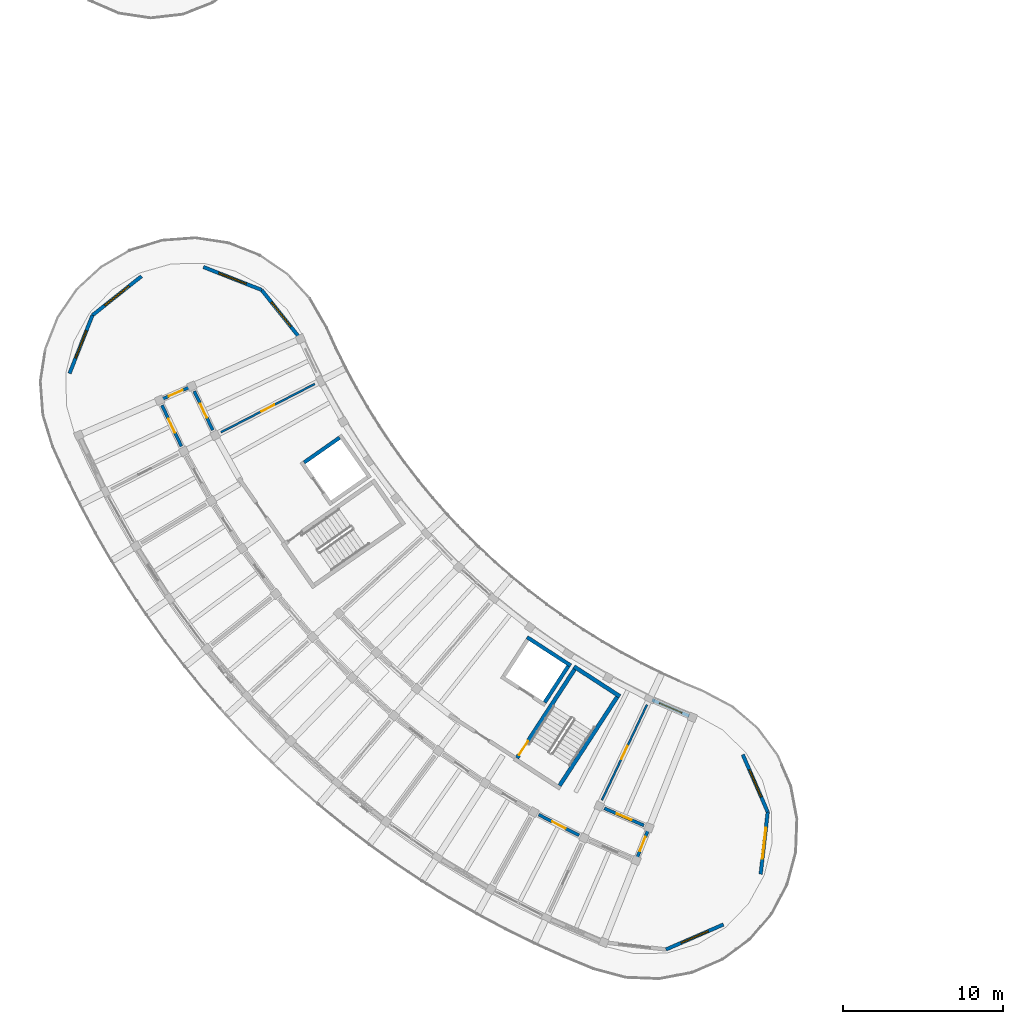
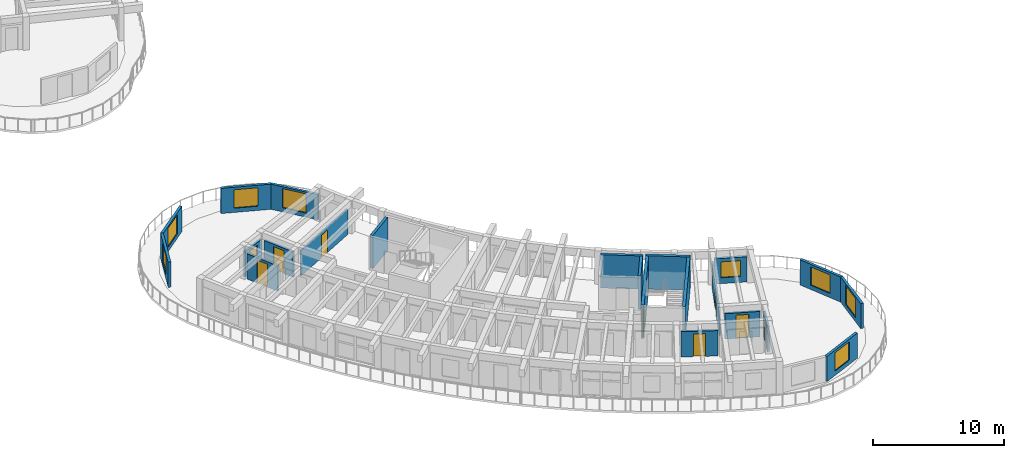
# One storey, part 35 of 62: 22 walls, 9 doors, 8 windows, 17 openings.
"""IFC4 building model written with IfcOpenShell, lengths in metres."""

from ifc_helpers import new_model, si_unit, direction, frame, frame_2d, origin, place, context, subcontext, project, spatial, rectangle, extrude, material, layer, layer_set, type_object, element, fill, save


model = new_model("IFC4")

# Units and contexts
model_context = context("Model", 3, precision=1e-05, world=origin(), true_north=direction((0.0, 1.0)))
body_context = subcontext(model_context, "Body", "Model", "MODEL_VIEW")
ifc_project = project(units=[si_unit("LENGTHUNIT", "METRE"), si_unit("AREAUNIT", "SQUARE_METRE"), si_unit("VOLUMEUNIT", "CUBIC_METRE"), si_unit("PLANEANGLEUNIT", "RADIAN"), si_unit("MASSUNIT", "GRAM", prefix="KILO")], contexts=[model_context])

# Site, building, storey
site_placement = place(None, origin())
site = spatial("IfcSite", under=ifc_project, at=site_placement, CompositionType="ELEMENT")
building_placement = place(site_placement, origin())
building = spatial("IfcBuilding", under=site, at=building_placement, Name="Tanwirah Colonnade Gardens", CompositionType="ELEMENT")
storey_placement = place(building_placement, frame((0.0, 0.0, 32.360107421875)))
storey = spatial("IfcBuildingStorey", under=building, at=storey_placement, Name="L09", CompositionType="ELEMENT", Elevation=32.360107421875)

# Wall, opening, window
ifc_material_1 = material(Name="Limestone architectural precast concrete C40/50", Category="masonry")
ifc_layer_1 = layer(ifc_material_1, 0.219970703125)
ifc_layer_set_1 = layer_set([ifc_layer_1], Name="Limestone architectural precast concrete C40/50")
wall_type_1 = type_object("IfcWallType", Name="EW-PC220", PredefinedType="SOLIDWALL", material=ifc_layer_set_1)
wall_1_placement = place(storey_placement, frame((46.1904296875, 24.2314453125, 0.0), z_axis=(0.0, 0.0, 1.0), x_axis=(0.917932416464, -0.396736787813, 0.0)))
wall_1 = element("IfcWall", 1, at=wall_1_placement, inside=storey, type_object=wall_type_1, Name="Block C L09 IN Precast Facade Wall 13", PredefinedType="SOLIDWALL", context=body_context, shape_type="SweptSolid", body=[
    extrude(rectangle(XDim=2.518798828125, YDim=0.219970703125, at=frame_2d((1.25927734375, 0.0))), origin(), (0.0, 0.0, 1.0), 2.35498046875),
])
opening_1_placement = place(wall_1_placement, frame((0.49951171875, 0.0, 0.550048828125)))
opening_1 = element("IfcOpeningElement", 2, at=opening_1_placement, cuts=wall_1, Name="Opening WIN-U10", PredefinedType="OPENING", context=body_context, shape_type="SweptSolid", body=[
    extrude(rectangle(XDim=1.52001953125, YDim=1.485107421875, at=frame_2d((0.760009765625, 0.74267578125))), frame((0.0, 0.119873046875, 0.0), z_axis=(0.0, -1.0, 0.0), x_axis=(1.0, 0.0, 0.0)), (0.0, 0.0, 1.0), 0.239990234375),
])
ifc_material_2 = material(Name="Thermally broken bronze aluminium and solar low-E double glazing", Category="aluminium")
window_type_1 = type_object("IfcWindowType", Name="WIN-U10", PartitioningType="DOUBLE_PANEL_VERTICAL", PredefinedType="WINDOW", material=ifc_material_2)
window_1_placement = place(opening_1_placement, origin())
window_1 = element("IfcWindow", 3, at=window_1_placement, inside=storey, type_object=window_type_1, Name="Facade window C-L09-IN-13", OverallHeight=1.485107421875, OverallWidth=1.52001953125, PartitioningType="SINGLE_PANEL", PredefinedType="WINDOW", context=body_context, shape_type="SweptSolid", body=[
    extrude(rectangle(XDim=1.52001953125, YDim=1.485107421875, at=frame_2d((0.760009765625, 0.74267578125))), frame((0.0, 0.030029296875, 0.0), z_axis=(0.0, -1.0, 0.0), x_axis=(1.0, 0.0, 0.0)), (0.0, 0.0, 1.0), 0.06005859375),
])
fill(opening_1, window_1)

wall_2_placement = place(storey_placement, frame((9.8115234375, 44.61962890625, 0.0), z_axis=(0.0, 0.0, 1.0), x_axis=(0.366452412926, 0.930436794769, 0.0)))
wall_2 = element("IfcWall", 4, at=wall_2_placement, inside=storey, type_object=wall_type_1, Name="Block C L09 START Rounded End Wall 1", PredefinedType="SOLIDWALL", context=body_context, shape_type="SweptSolid", body=[
    extrude(rectangle(XDim=3.908203125, YDim=0.219970703125, at=frame_2d((1.9541015625, 0.0))), origin(), (0.0, 0.0, 1.0), 2.35498046875),
])
opening_2_placement = place(wall_2_placement, frame((1.029052734375, 0.0, 0.39990234375)))
opening_2 = element("IfcOpeningElement", 5, at=opening_2_placement, cuts=wall_2, Name="Opening WIN-END1", PredefinedType="OPENING", context=body_context, shape_type="SweptSolid", body=[
    extrude(rectangle(XDim=1.85009765625, YDim=1.719970703125, at=frame_2d((0.925048828125, 0.85986328125))), frame((0.0, 0.119873046875, 0.0), z_axis=(0.0, -1.0, 0.0), x_axis=(1.0, 0.0, 0.0)), (0.0, 0.0, 1.0), 0.239990234375),
])
window_type_2 = type_object("IfcWindowType", Name="WIN-END1", PartitioningType="TRIPLE_PANEL_VERTICAL", PredefinedType="WINDOW", material=ifc_material_2)
window_2_placement = place(opening_2_placement, origin())
window_2 = element("IfcWindow", 6, at=window_2_placement, inside=storey, type_object=window_type_2, Name="Rounded corner window C-L09-START-1", OverallHeight=1.719970703125, OverallWidth=1.85009765625, PartitioningType="SINGLE_PANEL", PredefinedType="WINDOW", context=body_context, shape_type="SweptSolid", body=[
    extrude(rectangle(XDim=1.85009765625, YDim=1.719970703125, at=frame_2d((0.925048828125, 0.85986328125))), frame((0.0, 0.030029296875, 0.0), z_axis=(0.0, -1.0, 0.0), x_axis=(1.0, 0.0, 0.0)), (0.0, 0.0, 1.0), 0.06005859375),
])
fill(opening_2, window_2)

wall_3_placement = place(storey_placement, frame((11.24365234375, 48.255859375, 0.0), z_axis=(0.0, 0.0, 1.0), x_axis=(0.782584454044, 0.622544433988, 0.0)))
wall_3 = element("IfcWall", 7, at=wall_3_placement, inside=storey, type_object=wall_type_1, Name="Block C L09 START Rounded End Wall 2", PredefinedType="SOLIDWALL", context=body_context, shape_type="SweptSolid", body=[
    extrude(rectangle(XDim=3.908203125, YDim=0.219970703125, at=frame_2d((1.9541015625, 0.0))), origin(), (0.0, 0.0, 1.0), 2.35498046875),
])
opening_3_placement = place(wall_3_placement, frame((0.97900390625, 0.0, 0.39990234375)))
opening_3 = element("IfcOpeningElement", 8, at=opening_3_placement, cuts=wall_3, Name="Opening WIN-END2", PredefinedType="OPENING", context=body_context, shape_type="SweptSolid", body=[
    extrude(rectangle(XDim=1.949951171875, YDim=1.780029296875, at=frame_2d((0.97509765625, 0.89013671875))), frame((0.0, 0.119873046875, 0.0), z_axis=(0.0, -1.0, 0.0), x_axis=(1.0, 0.0, 0.0)), (0.0, 0.0, 1.0), 0.239990234375),
])
window_type_3 = type_object("IfcWindowType", Name="WIN-END2", PartitioningType="TRIPLE_PANEL_VERTICAL", PredefinedType="WINDOW", material=ifc_material_2)
window_3_placement = place(opening_3_placement, origin())
window_3 = element("IfcWindow", 9, at=window_3_placement, inside=storey, type_object=window_type_3, Name="Rounded corner window C-L09-START-2", OverallHeight=1.780029296875, OverallWidth=1.949951171875, PartitioningType="SINGLE_PANEL", PredefinedType="WINDOW", context=body_context, shape_type="SweptSolid", body=[
    extrude(rectangle(XDim=1.949951171875, YDim=1.780029296875, at=frame_2d((0.97509765625, 0.89013671875))), frame((0.0, 0.030029296875, 0.0), z_axis=(0.0, -1.0, 0.0), x_axis=(1.0, 0.0, 0.0)), (0.0, 0.0, 1.0), 0.06005859375),
])
fill(opening_3, window_3)

wall_4_placement = place(storey_placement, frame((18.16748046875, 51.2666015625, 0.0), z_axis=(0.0, 0.0, 1.0), x_axis=(0.930415493666, -0.366506492637, 0.0)))
wall_4 = element("IfcWall", 10, at=wall_4_placement, inside=storey, type_object=wall_type_1, Name="Block C L09 START Rounded End Wall 4", PredefinedType="SOLIDWALL", context=body_context, shape_type="SweptSolid", body=[
    extrude(rectangle(XDim=3.908203125, YDim=0.219970703125, at=frame_2d((1.9541015625, 0.0))), origin(), (0.0, 0.0, 1.0), 2.35498046875),
])
opening_4_placement = place(wall_4_placement, frame((1.029052734375, 0.0, 0.39990234375)))
opening_4 = element("IfcOpeningElement", 11, at=opening_4_placement, cuts=wall_4, Name="Opening WIN-END1", PredefinedType="OPENING", context=body_context, shape_type="SweptSolid", body=[
    extrude(rectangle(XDim=1.85009765625, YDim=1.719970703125, at=frame_2d((0.925048828125, 0.85986328125))), frame((0.0, 0.119873046875, 0.0), z_axis=(0.0, -1.0, 0.0), x_axis=(1.0, 0.0, 0.0)), (0.0, 0.0, 1.0), 0.239990234375),
])
window_4_placement = place(opening_4_placement, origin())
window_4 = element("IfcWindow", 12, at=window_4_placement, inside=storey, type_object=window_type_2, Name="Rounded corner window C-L09-START-4", OverallHeight=1.719970703125, OverallWidth=1.85009765625, PartitioningType="SINGLE_PANEL", PredefinedType="WINDOW", context=body_context, shape_type="SweptSolid", body=[
    extrude(rectangle(XDim=1.85009765625, YDim=1.719970703125, at=frame_2d((0.925048828125, 0.85986328125))), frame((0.0, 0.030029296875, 0.0), z_axis=(0.0, -1.0, 0.0), x_axis=(1.0, 0.0, 0.0)), (0.0, 0.0, 1.0), 0.06005859375),
])
fill(opening_4, window_4)

wall_5_placement = place(storey_placement, frame((21.8037109375, 49.834228515625, 0.0), z_axis=(0.0, 0.0, 1.0), x_axis=(0.622506174669, -0.782614887732, 0.0)))
wall_5 = element("IfcWall", 13, at=wall_5_placement, inside=storey, type_object=wall_type_1, Name="Block C L09 START Rounded End Wall 5", PredefinedType="SOLIDWALL", context=body_context, shape_type="SweptSolid", body=[
    extrude(rectangle(XDim=3.908203125, YDim=0.219970703125, at=frame_2d((1.9541015625, 0.0))), origin(), (0.0, 0.0, 1.0), 2.35498046875),
])
opening_5_placement = place(wall_5_placement, frame((0.97900390625, 0.0, 0.39990234375)))
opening_5 = element("IfcOpeningElement", 14, at=opening_5_placement, cuts=wall_5, Name="Opening WIN-END2", PredefinedType="OPENING", context=body_context, shape_type="SweptSolid", body=[
    extrude(rectangle(XDim=1.949951171875, YDim=1.780029296875, at=frame_2d((0.97509765625, 0.89013671875))), frame((0.0, 0.119873046875, 0.0), z_axis=(0.0, -1.0, 0.0), x_axis=(1.0, 0.0, 0.0)), (0.0, 0.0, 1.0), 0.239990234375),
])
window_5_placement = place(opening_5_placement, origin())
window_5 = element("IfcWindow", 15, at=window_5_placement, inside=storey, type_object=window_type_3, Name="Rounded corner window C-L09-START-5", OverallHeight=1.780029296875, OverallWidth=1.949951171875, PartitioningType="SINGLE_PANEL", PredefinedType="WINDOW", context=body_context, shape_type="SweptSolid", body=[
    extrude(rectangle(XDim=1.949951171875, YDim=1.780029296875, at=frame_2d((0.97509765625, 0.89013671875))), frame((0.0, 0.030029296875, 0.0), z_axis=(0.0, -1.0, 0.0), x_axis=(1.0, 0.0, 0.0)), (0.0, 0.0, 1.0), 0.06005859375),
])
fill(opening_5, window_5)

wall_6_placement = place(storey_placement, frame((51.8505859375, 20.818359375, 0.0), z_axis=(0.0, 0.0, 1.0), x_axis=(0.398723827264, -0.917071049359, 0.0)))
wall_6 = element("IfcWall", 16, at=wall_6_placement, inside=storey, type_object=wall_type_1, Name="Block C L09 END Rounded End Wall 1", PredefinedType="SOLIDWALL", context=body_context, shape_type="SweptSolid", body=[
    extrude(rectangle(XDim=3.908447265625, YDim=0.219970703125, at=frame_2d((1.9541015625, 0.0))), origin(), (0.0, 0.0, 1.0), 2.35498046875),
])
opening_6_placement = place(wall_6_placement, frame((1.029052734375, 0.0, 0.39990234375)))
opening_6 = element("IfcOpeningElement", 17, at=opening_6_placement, cuts=wall_6, Name="Opening WIN-END1", PredefinedType="OPENING", context=body_context, shape_type="SweptSolid", body=[
    extrude(rectangle(XDim=1.85009765625, YDim=1.719970703125, at=frame_2d((0.925048828125, 0.85986328125))), frame((0.0, 0.119873046875, 0.0), z_axis=(0.0, -1.0, 0.0), x_axis=(1.0, 0.0, 0.0)), (0.0, 0.0, 1.0), 0.239990234375),
])
window_6_placement = place(opening_6_placement, origin())
window_6 = element("IfcWindow", 18, at=window_6_placement, inside=storey, type_object=window_type_2, Name="Rounded corner window C-L09-END-1", OverallHeight=1.719970703125, OverallWidth=1.85009765625, PartitioningType="SINGLE_PANEL", PredefinedType="WINDOW", context=body_context, shape_type="SweptSolid", body=[
    extrude(rectangle(XDim=1.85009765625, YDim=1.719970703125, at=frame_2d((0.925048828125, 0.85986328125))), frame((0.0, 0.030029296875, 0.0), z_axis=(0.0, -1.0, 0.0), x_axis=(1.0, 0.0, 0.0)), (0.0, 0.0, 1.0), 0.06005859375),
])
fill(opening_6, window_6)

wall_7_placement = place(storey_placement, frame((53.408935546875, 17.234130859375, 0.0), z_axis=(0.0, 0.0, 1.0), x_axis=(-0.113201245525, -0.993572079928, 0.0)))
wall_7 = element("IfcWall", 19, at=wall_7_placement, inside=storey, type_object=wall_type_1, Name="Block C L09 END Rounded End Wall 2", PredefinedType="SOLIDWALL", context=body_context, shape_type="SweptSolid", body=[
    extrude(rectangle(XDim=3.907958984375, YDim=0.219970703125, at=frame_2d((1.9541015625, 0.0))), origin(), (0.0, 0.0, 1.0), 2.35498046875),
])
opening_7_placement = place(wall_7_placement, frame((0.97900390625, 0.0, 0.39990234375)))
opening_7 = element("IfcOpeningElement", 20, at=opening_7_placement, cuts=wall_7, Name="Opening WIN-END2", PredefinedType="OPENING", context=body_context, shape_type="SweptSolid", body=[
    extrude(rectangle(XDim=1.949951171875, YDim=1.780029296875, at=frame_2d((0.97509765625, 0.89013671875))), frame((0.0, 0.119873046875, 0.0), z_axis=(0.0, -1.0, 0.0), x_axis=(1.0, 0.0, 0.0)), (0.0, 0.0, 1.0), 0.239990234375),
])
window_7_placement = place(opening_7_placement, origin())
window_7 = element("IfcWindow", 21, at=window_7_placement, inside=storey, type_object=window_type_3, Name="Rounded corner window C-L09-END-2", OverallHeight=1.780029296875, OverallWidth=1.949951171875, PartitioningType="SINGLE_PANEL", PredefinedType="WINDOW", context=body_context, shape_type="SweptSolid", body=[
    extrude(rectangle(XDim=1.949951171875, YDim=1.780029296875, at=frame_2d((0.97509765625, 0.89013671875))), frame((0.0, 0.030029296875, 0.0), z_axis=(0.0, -1.0, 0.0), x_axis=(1.0, 0.0, 0.0)), (0.0, 0.0, 1.0), 0.06005859375),
])
fill(opening_7, window_7)

wall_8_placement = place(storey_placement, frame((50.641845703125, 10.20947265625, 0.0), z_axis=(0.0, 0.0, 1.0), x_axis=(-0.917061117534, -0.398746669838, 0.0)))
wall_8 = element("IfcWall", 22, at=wall_8_placement, inside=storey, type_object=wall_type_1, Name="Block C L09 END Rounded End Wall 4", PredefinedType="SOLIDWALL", context=body_context, shape_type="SweptSolid", body=[
    extrude(rectangle(XDim=3.908203125, YDim=0.219970703125, at=frame_2d((1.9541015625, 0.0))), origin(), (0.0, 0.0, 1.0), 2.35498046875),
])
opening_8_placement = place(wall_8_placement, frame((1.029052734375, 0.0, 0.39990234375)))
opening_8 = element("IfcOpeningElement", 23, at=opening_8_placement, cuts=wall_8, Name="Opening WIN-END1", PredefinedType="OPENING", context=body_context, shape_type="SweptSolid", body=[
    extrude(rectangle(XDim=1.85009765625, YDim=1.719970703125, at=frame_2d((0.925048828125, 0.85986328125))), frame((0.0, 0.119873046875, 0.0), z_axis=(0.0, -1.0, 0.0), x_axis=(1.0, 0.0, 0.0)), (0.0, 0.0, 1.0), 0.239990234375),
])
window_8_placement = place(opening_8_placement, origin())
window_8 = element("IfcWindow", 24, at=window_8_placement, inside=storey, type_object=window_type_2, Name="Rounded corner window C-L09-END-4", OverallHeight=1.719970703125, OverallWidth=1.85009765625, PartitioningType="SINGLE_PANEL", PredefinedType="WINDOW", context=body_context, shape_type="SweptSolid", body=[
    extrude(rectangle(XDim=1.85009765625, YDim=1.719970703125, at=frame_2d((0.925048828125, 0.85986328125))), frame((0.0, 0.030029296875, 0.0), z_axis=(0.0, -1.0, 0.0), x_axis=(1.0, 0.0, 0.0)), (0.0, 0.0, 1.0), 0.06005859375),
])
fill(opening_8, window_8)

# Wall, opening, door
ifc_material_3 = material(Name="Precast concrete C40/50", Category="concrete")
ifc_layer_2 = layer(ifc_material_3, 0.195068359375)
ifc_layer_set_2 = layer_set([ifc_layer_2], Name="Precast concrete C40/50")
wall_type_2 = type_object("IfcWallType", Name="IW-CORR195", PredefinedType="PARTITIONING", material=ifc_layer_set_2)
wall_9_placement = place(storey_placement, frame((15.5830078125, 42.63134765625, 0.0), z_axis=(0.0, 0.0, 1.0), x_axis=(0.428493237107, -0.903544988229, 0.0)))
wall_9 = element("IfcWall", 25, at=wall_9_placement, inside=storey, type_object=wall_type_2, Name="Block C L09 OUT Corridor Wall 2", PredefinedType="PARTITIONING", context=body_context, shape_type="SweptSolid", body=[
    extrude(rectangle(XDim=2.8369140625, YDim=0.195068359375, at=frame_2d((1.41845703125, 0.0))), origin(), (0.0, 0.0, 1.0), 2.369873046875),
])
opening_9_placement = place(wall_9_placement, frame((0.93359375, 0.0, 0.0)))
opening_9 = element("IfcOpeningElement", 26, at=opening_9_placement, cuts=wall_9, Name="Opening L09-AD1602", PredefinedType="OPENING", context=body_context, shape_type="SweptSolid", body=[
    extrude(rectangle(XDim=0.969970703125, YDim=2.14990234375, at=frame_2d((0.48486328125, 1.074951171875))), frame((0.0, 0.107421875, 0.0), z_axis=(0.0, -1.0, 0.0), x_axis=(1.0, 0.0, 0.0)), (0.0, 0.0, 1.0), 0.215087890625),
])
ifc_material_4 = material(Name="Solid oak fire-resisting apartment entrance door")
door_type_1 = type_object("IfcDoorType", Name="ID-FLT097", OperationType="NOTDEFINED", PredefinedType="DOOR", material=ifc_material_4)
door_1_placement = place(opening_9_placement, origin())
door_1 = element("IfcDoor", 27, at=door_1_placement, inside=storey, type_object=door_type_1, Name="Apartment corridor door L09-AD1602", OperationType="SINGLE_SWING_RIGHT", OverallHeight=2.14990234375, OverallWidth=0.969970703125, PredefinedType="DOOR", context=body_context, shape_type="SweptSolid", body=[
    extrude(rectangle(XDim=0.969970703125, YDim=2.14990234375, at=frame_2d((0.48486328125, 1.074951171875))), frame((0.0, 0.02490234375, 0.0), z_axis=(0.0, -1.0, 0.0), x_axis=(1.0, 0.0, 0.0)), (0.0, 0.0, 1.0), 0.050048828125),
])
fill(opening_9, door_1)

wall_10_placement = place(storey_placement, frame((17.600341796875, 43.508544921875, 0.0), z_axis=(0.0, 0.0, 1.0), x_axis=(0.428550049392, -0.903518043631, 0.0)))
wall_10 = element("IfcWall", 28, at=wall_10_placement, inside=storey, type_object=wall_type_2, Name="Block C L09 IN Corridor Wall 2", PredefinedType="PARTITIONING", context=body_context, shape_type="SweptSolid", body=[
    extrude(rectangle(XDim=2.69287109375, YDim=0.195068359375, at=frame_2d((1.346435546875, 0.0))), origin(), (0.0, 0.0, 1.0), 2.369873046875),
])
opening_10_placement = place(wall_10_placement, frame((0.861572265625, 0.0, 0.0)))
opening_10 = element("IfcOpeningElement", 29, at=opening_10_placement, cuts=wall_10, Name="Opening L09-AD1603", PredefinedType="OPENING", context=body_context, shape_type="SweptSolid", body=[
    extrude(rectangle(XDim=0.969970703125, YDim=2.14990234375, at=frame_2d((0.48486328125, 1.074951171875))), frame((0.0, 0.107421875, 0.0), z_axis=(0.0, -1.0, 0.0), x_axis=(1.0, 0.0, 0.0)), (0.0, 0.0, 1.0), 0.215087890625),
])
door_2_placement = place(opening_10_placement, origin())
door_2 = element("IfcDoor", 30, at=door_2_placement, inside=storey, type_object=door_type_1, Name="Apartment corridor door L09-AD1603", OperationType="SINGLE_SWING_LEFT", OverallHeight=2.14990234375, OverallWidth=0.969970703125, PredefinedType="DOOR", context=body_context, shape_type="SweptSolid", body=[
    extrude(rectangle(XDim=0.969970703125, YDim=2.14990234375, at=frame_2d((0.48486328125, 1.074951171875))), frame((0.0, 0.02490234375, 0.0), z_axis=(0.0, -1.0, 0.0), x_axis=(1.0, 0.0, 0.0)), (0.0, 0.0, 1.0), 0.050048828125),
])
fill(opening_10, door_2)

wall_11_placement = place(storey_placement, frame((39.107421875, 17.067138671875, 0.0), z_axis=(0.0, 0.0, 1.0), x_axis=(0.890030590607, -0.45590080915, 0.0)))
wall_11 = element("IfcWall", 31, at=wall_11_placement, inside=storey, type_object=wall_type_2, Name="Block C L09 OUT Corridor Wall 12", PredefinedType="PARTITIONING", context=body_context, shape_type="SweptSolid", body=[
    extrude(rectangle(XDim=2.837158203125, YDim=0.195068359375, at=frame_2d((1.41845703125, 0.0))), origin(), (0.0, 0.0, 1.0), 2.369873046875),
])
opening_11_placement = place(wall_11_placement, frame((0.95361328125, 0.0, 0.0)))
opening_11 = element("IfcOpeningElement", 32, at=opening_11_placement, cuts=wall_11, Name="Opening L09-AD1621", PredefinedType="OPENING", context=body_context, shape_type="SweptSolid", body=[
    extrude(rectangle(XDim=0.929931640625, YDim=2.1201171875, at=frame_2d((0.46484375, 1.06005859375))), frame((0.0, 0.107421875, 0.0), z_axis=(0.0, -1.0, 0.0), x_axis=(1.0, 0.0, 0.0)), (0.0, 0.0, 1.0), 0.215087890625),
])
door_type_2 = type_object("IfcDoorType", Name="ID-FLT093", OperationType="NOTDEFINED", PredefinedType="DOOR", material=ifc_material_4)
door_3_placement = place(opening_11_placement, origin())
door_3 = element("IfcDoor", 33, at=door_3_placement, inside=storey, type_object=door_type_2, Name="Apartment corridor door L09-AD1621", OperationType="SINGLE_SWING_RIGHT", OverallHeight=2.1201171875, OverallWidth=0.929931640625, PredefinedType="DOOR", context=body_context, shape_type="SweptSolid", body=[
    extrude(rectangle(XDim=0.929931640625, YDim=2.1201171875, at=frame_2d((0.46484375, 1.06005859375))), frame((0.0, 0.02490234375, 0.0), z_axis=(0.0, -1.0, 0.0), x_axis=(1.0, 0.0, 0.0)), (0.0, 0.0, 1.0), 0.050048828125),
])
fill(opening_11, door_3)

wall_12_placement = place(storey_placement, frame((43.20361328125, 17.465087890625, 0.0), z_axis=(0.0, 0.0, 1.0), x_axis=(0.91793557165, -0.39672948756, 0.0)))
wall_12 = element("IfcWall", 34, at=wall_12_placement, inside=storey, type_object=wall_type_2, Name="Block C L09 IN Corridor Wall 13", PredefinedType="PARTITIONING", context=body_context, shape_type="SweptSolid", body=[
    extrude(rectangle(XDim=2.69287109375, YDim=0.195068359375, at=frame_2d((1.346435546875, 0.0))), origin(), (0.0, 0.0, 1.0), 2.369873046875),
])
opening_12_placement = place(wall_12_placement, frame((0.8515625, 0.0, 0.0)))
opening_12 = element("IfcOpeningElement", 35, at=opening_12_placement, cuts=wall_12, Name="Opening L09-AD1625", PredefinedType="OPENING", context=body_context, shape_type="SweptSolid", body=[
    extrude(rectangle(XDim=0.989990234375, YDim=2.159912109375, at=frame_2d((0.4951171875, 1.080078125))), frame((0.0, 0.107421875, 0.0), z_axis=(0.0, -1.0, 0.0), x_axis=(1.0, 0.0, 0.0)), (0.0, 0.0, 1.0), 0.215087890625),
])
door_type_3 = type_object("IfcDoorType", Name="ID-FLT099", OperationType="NOTDEFINED", PredefinedType="DOOR", material=ifc_material_4)
door_4_placement = place(opening_12_placement, origin())
door_4 = element("IfcDoor", 36, at=door_4_placement, inside=storey, type_object=door_type_3, Name="Apartment corridor door L09-AD1625", OperationType="SINGLE_SWING_RIGHT", OverallHeight=2.159912109375, OverallWidth=0.989990234375, PredefinedType="DOOR", context=body_context, shape_type="SweptSolid", body=[
    extrude(rectangle(XDim=0.989990234375, YDim=2.159912109375, at=frame_2d((0.4951171875, 1.080078125))), frame((0.0, 0.02490234375, 0.0), z_axis=(0.0, -1.0, 0.0), x_axis=(1.0, 0.0, 0.0)), (0.0, 0.0, 1.0), 0.050048828125),
])
fill(opening_12, door_4)

wall_13_placement = place(storey_placement, frame((17.404541015625, 43.804931640625, 0.0), z_axis=(0.0, 0.0, 1.0), x_axis=(-0.917051572108, -0.398768622253, 0.0)))
wall_13 = element("IfcWall", 37, at=wall_13_placement, inside=storey, type_object=wall_type_2, Name="Block C L09 CS Corner Suite Corridor Wall", PredefinedType="PARTITIONING", context=body_context, shape_type="SweptSolid", body=[
    extrude(rectangle(XDim=2.099853515625, YDim=0.195068359375, at=frame_2d((1.0498046875, 0.0))), origin(), (0.0, 0.0, 1.0), 2.369873046875),
])
opening_13_placement = place(wall_13_placement, frame((0.570068359375, 0.0, 0.0)))
opening_13 = element("IfcOpeningElement", 38, at=opening_13_placement, cuts=wall_13, Name="Opening L09-CD1626", PredefinedType="OPENING", context=body_context, shape_type="SweptSolid", body=[
    extrude(rectangle(XDim=0.949951171875, YDim=2.1298828125, at=frame_2d((0.47509765625, 1.06494140625))), frame((0.0, 0.107421875, 0.0), z_axis=(0.0, -1.0, 0.0), x_axis=(1.0, 0.0, 0.0)), (0.0, 0.0, 1.0), 0.215087890625),
])
door_type_4 = type_object("IfcDoorType", Name="ID-FLT095", OperationType="NOTDEFINED", PredefinedType="DOOR", material=ifc_material_4)
door_5_placement = place(opening_13_placement, origin())
door_5 = element("IfcDoor", 39, at=door_5_placement, inside=storey, type_object=door_type_4, Name="Corner suite entrance door L09-CD1626", OperationType="SINGLE_SWING_LEFT", OverallHeight=2.1298828125, OverallWidth=0.949951171875, PredefinedType="DOOR", context=body_context, shape_type="SweptSolid", body=[
    extrude(rectangle(XDim=0.949951171875, YDim=2.1298828125, at=frame_2d((0.47509765625, 1.06494140625))), frame((0.0, 0.02490234375, 0.0), z_axis=(0.0, -1.0, 0.0), x_axis=(1.0, 0.0, 0.0)), (0.0, 0.0, 1.0), 0.050048828125),
])
fill(opening_13, door_5)

wall_14_placement = place(storey_placement, frame((45.978515625, 16.21142578125, 0.0), z_axis=(0.0, 0.0, 1.0), x_axis=(-0.366454372645, -0.930436022932, 0.0)))
wall_14 = element("IfcWall", 40, at=wall_14_placement, inside=storey, type_object=wall_type_2, Name="Block C L09 CE Corner Suite Corridor Wall", PredefinedType="PARTITIONING", context=body_context, shape_type="SweptSolid", body=[
    extrude(rectangle(XDim=2.099853515625, YDim=0.195068359375, at=frame_2d((1.0498046875, 0.0))), origin(), (0.0, 0.0, 1.0), 2.369873046875),
])
opening_14_placement = place(wall_14_placement, frame((0.570068359375, 0.0, 0.0)))
opening_14 = element("IfcOpeningElement", 41, at=opening_14_placement, cuts=wall_14, Name="Opening L09-CD1627", PredefinedType="OPENING", context=body_context, shape_type="SweptSolid", body=[
    extrude(rectangle(XDim=0.949951171875, YDim=2.1298828125, at=frame_2d((0.47509765625, 1.06494140625))), frame((0.0, 0.107421875, 0.0), z_axis=(0.0, -1.0, 0.0), x_axis=(1.0, 0.0, 0.0)), (0.0, 0.0, 1.0), 0.215087890625),
])
door_6_placement = place(opening_14_placement, origin())
door_6 = element("IfcDoor", 42, at=door_6_placement, inside=storey, type_object=door_type_4, Name="Corner suite entrance door L09-CD1627", OperationType="SINGLE_SWING_RIGHT", OverallHeight=2.1298828125, OverallWidth=0.949951171875, PredefinedType="DOOR", context=body_context, shape_type="SweptSolid", body=[
    extrude(rectangle(XDim=0.949951171875, YDim=2.1298828125, at=frame_2d((0.47509765625, 1.06494140625))), frame((0.0, 0.02490234375, 0.0), z_axis=(0.0, -1.0, 0.0), x_axis=(1.0, 0.0, 0.0)), (0.0, 0.0, 1.0), 0.050048828125),
])
fill(opening_14, door_6)

ifc_material_5 = material(Name="Moisture-resistant gypsum stud partition")
ifc_layer_3 = layer(ifc_material_5, 0.125)
ifc_layer_set_3 = layer_set([ifc_layer_3], Name="Moisture-resistant gypsum stud partition")
wall_type_3 = type_object("IfcWallType", Name="IW-INT125", PredefinedType="PARTITIONING", material=ifc_layer_set_3)
wall_15_placement = place(storey_placement, frame((25.127685546875, 43.96435546875, 0.0), z_axis=(0.0, 0.0, 1.0), x_axis=(-0.889022010753, -0.457864460727, 0.0)))
wall_15 = element("IfcWall", 43, at=wall_15_placement, inside=storey, type_object=wall_type_3, Name="Block C L09 Inner Radial Partition 2", PredefinedType="PARTITIONING", context=body_context, shape_type="SweptSolid", body=[
    extrude(rectangle(XDim=6.60009765625, YDim=0.125, at=frame_2d((3.300048828125, 0.0))), origin(), (0.0, 0.0, 1.0), 2.369873046875),
])
opening_15_placement = place(wall_15_placement, frame((2.844970703125, 0.0, 0.0)))
opening_15 = element("IfcOpeningElement", 44, at=opening_15_placement, cuts=wall_15, Name="Opening L09-RD1605", PredefinedType="OPENING", context=body_context, shape_type="SweptSolid", body=[
    extrude(rectangle(XDim=0.909912109375, YDim=2.10009765625, at=frame_2d((0.455078125, 1.050048828125))), frame((0.0, 0.072509765625, 0.0), z_axis=(0.0, -1.0, 0.0), x_axis=(1.0, 0.0, 0.0)), (0.0, 0.0, 1.0), 0.14501953125),
])
ifc_material_6 = material(Name="Painted hardwood internal room door", Category="wood")
door_type_5 = type_object("IfcDoorType", Name="ID-RM091", OperationType="NOTDEFINED", PredefinedType="DOOR", material=ifc_material_6)
door_7_placement = place(opening_15_placement, origin())
door_7 = element("IfcDoor", 45, at=door_7_placement, inside=storey, type_object=door_type_5, Name="Internal apartment door L09-RD1605", OperationType="SINGLE_SWING_LEFT", OverallHeight=2.10009765625, OverallWidth=0.909912109375, PredefinedType="DOOR", context=body_context, shape_type="SweptSolid", body=[
    extrude(rectangle(XDim=0.909912109375, YDim=2.10009765625, at=frame_2d((0.455078125, 1.050048828125))), frame((0.0, 0.02490234375, 0.0), z_axis=(0.0, -1.0, 0.0), x_axis=(1.0, 0.0, 0.0)), (0.0, 0.0, 1.0), 0.050048828125),
])
fill(opening_15, door_7)

wall_16_placement = place(storey_placement, frame((45.868408203125, 23.935302734375, 0.0), z_axis=(0.0, 0.0, 1.0), x_axis=(-0.426573573579, -0.904452865728, 0.0)))
wall_16 = element("IfcWall", 46, at=wall_16_placement, inside=storey, type_object=wall_type_3, Name="Block C L09 Inner Radial Partition 12", PredefinedType="PARTITIONING", context=body_context, shape_type="SweptSolid", body=[
    extrude(rectangle(XDim=6.60009765625, YDim=0.125, at=frame_2d((3.300048828125, 0.0))), origin(), (0.0, 0.0, 1.0), 2.369873046875),
])
opening_16_placement = place(wall_16_placement, frame((2.85498046875, 0.0, 0.0)))
opening_16 = element("IfcOpeningElement", 47, at=opening_16_placement, cuts=wall_16, Name="Opening L09-RD1623", PredefinedType="OPENING", context=body_context, shape_type="SweptSolid", body=[
    extrude(rectangle(XDim=0.889892578125, YDim=2.10009765625, at=frame_2d((0.44482421875, 1.050048828125))), frame((0.0, 0.072509765625, 0.0), z_axis=(0.0, -1.0, 0.0), x_axis=(1.0, 0.0, 0.0)), (0.0, 0.0, 1.0), 0.14501953125),
])
ifc_material_7 = material(Name="Painted hardwood bedroom door", Category="wood")
door_type_6 = type_object("IfcDoorType", Name="ID-RM089", OperationType="NOTDEFINED", PredefinedType="DOOR", material=ifc_material_7)
door_8_placement = place(opening_16_placement, origin())
door_8 = element("IfcDoor", 48, at=door_8_placement, inside=storey, type_object=door_type_6, Name="Internal apartment door L09-RD1623", OperationType="SINGLE_SWING_LEFT", OverallHeight=2.10009765625, OverallWidth=0.889892578125, PredefinedType="DOOR", context=body_context, shape_type="SweptSolid", body=[
    extrude(rectangle(XDim=0.889892578125, YDim=2.10009765625, at=frame_2d((0.44482421875, 1.050048828125))), frame((0.0, 0.02490234375, 0.0), z_axis=(0.0, -1.0, 0.0), x_axis=(1.0, 0.0, 0.0)), (0.0, 0.0, 1.0), 0.050048828125),
])
fill(opening_16, door_8)

# Walls
ifc_material_8 = material(Name="Concrete C45/55", Category="concrete")
ifc_layer_4 = layer(ifc_material_8, 0.25)
ifc_layer_set_4 = layer_set([ifc_layer_4], Name="Concrete C45/55")
wall_type_4 = type_object("IfcWallType", Name="SW-CORE250", PredefinedType="SHEAR", material=ifc_layer_set_4)
wall_17_placement = place(storey_placement, frame((40.412841796875, 18.881591796875, 0.0), z_axis=(0.0, 0.0, 1.0), x_axis=(0.544629435258, 0.838676802022, 0.0)))
element("IfcWall", 49, at=wall_17_placement, inside=storey, type_object=wall_type_4, Name="CORE-C2 L09 Stair Shaft Shear Wall LEFT", PredefinedType="SHEAR", context=body_context, shape_type="SweptSolid", body=[
    extrude(rectangle(XDim=6.599853515625, YDim=0.25, at=frame_2d((3.2998046875, 0.0))), origin(), (0.0, 0.0, 1.0), 3.10986328125),
])
wall_18_placement = place(storey_placement, frame((44.180419921875, 24.45361328125, 0.0), z_axis=(0.0, 0.0, 1.0), x_axis=(-0.838699580527, 0.544594356953, 0.0)))
element("IfcWall", 50, at=wall_18_placement, inside=storey, type_object=wall_type_4, Name="CORE-C2 L09 Stair Shaft Shear Wall FAR", PredefinedType="SHEAR", context=body_context, shape_type="SweptSolid", body=[
    extrude(rectangle(XDim=3.420166015625, YDim=0.25, at=frame_2d((1.7099609375, 0.0))), origin(), (0.0, 0.0, 1.0), 3.10986328125),
])

# Wall, opening, door
wall_19_placement = place(storey_placement, frame((37.754150390625, 20.608154296875, 0.0), z_axis=(0.0, 0.0, 1.0), x_axis=(0.544655453679, 0.838659905312, 0.0)))
wall_19 = element("IfcWall", 51, at=wall_19_placement, inside=storey, type_object=wall_type_4, Name="CORE-C2 L09 Stair Shaft Shear Wall RIGHT", PredefinedType="SHEAR", context=body_context, shape_type="SweptSolid", body=[
    extrude(rectangle(XDim=6.60009765625, YDim=0.25, at=frame_2d((3.300048828125, 0.0))), origin(), (0.0, 0.0, 1.0), 3.10986328125),
])
opening_17_placement = place(wall_19_placement, frame((0.219970703125, 0.0, 0.0)))
opening_17 = element("IfcOpeningElement", 52, at=opening_17_placement, cuts=wall_19, Name="Opening L09-SD155", PredefinedType="OPENING", context=body_context, shape_type="SweptSolid", body=[
    extrude(rectangle(XDim=1.050048828125, YDim=2.14990234375, at=frame_2d((0.52490234375, 1.074951171875))), frame((0.0, 0.135009765625, 0.0), z_axis=(0.0, -1.0, 0.0), x_axis=(1.0, 0.0, 0.0)), (0.0, 0.0, 1.0), 0.27001953125),
])
ifc_material_9 = material(Name="Steel fire-resisting stair enclosure door", Category="steel")
door_type_7 = type_object("IfcDoorType", Name="ID-ST105", OperationType="NOTDEFINED", PredefinedType="DOOR", material=ifc_material_9)
door_9_placement = place(opening_17_placement, origin())
door_9 = element("IfcDoor", 53, at=door_9_placement, inside=storey, type_object=door_type_7, Name="CORE-C2 L09 Stair Fire Door L09-SD155", OperationType="SINGLE_SWING_RIGHT", OverallHeight=2.14990234375, OverallWidth=1.050048828125, PredefinedType="DOOR", context=body_context, shape_type="SweptSolid", body=[
    extrude(rectangle(XDim=1.050048828125, YDim=2.14990234375, at=frame_2d((0.52490234375, 1.074951171875))), frame((0.0, 0.02490234375, 0.0), z_axis=(0.0, -1.0, 0.0), x_axis=(1.0, 0.0, 0.0)), (0.0, 0.0, 1.0), 0.050048828125),
])
fill(opening_17, door_9)

# Walls
ifc_layer_5 = layer(ifc_material_8, 0.22998046875)
ifc_layer_set_5 = layer_set([ifc_layer_5], Name="Concrete C45/55")
wall_type_5 = type_object("IfcWallType", Name="SW-LIFT230", PredefinedType="SHEAR", material=ifc_layer_set_5)
wall_20_placement = place(storey_placement, frame((24.459228515625, 39.061279296875, 0.0), z_axis=(0.0, 0.0, 1.0), x_axis=(0.819189439894, 0.573523026186, 0.0)))
element("IfcWall", 54, at=wall_20_placement, inside=storey, type_object=wall_type_5, Name="CORE-C1 L09 Lift Shaft Wall SIDEB", PredefinedType="SHEAR", context=body_context, shape_type="SweptSolid", body=[
    extrude(rectangle(XDim=2.7001953125, YDim=0.22998046875, at=frame_2d((1.35009765625, 0.0))), origin(), (0.0, 0.0, 1.0), 3.10986328125),
])
wall_21_placement = place(storey_placement, frame((41.111572265625, 26.374755859375, 0.0), z_axis=(0.0, 0.0, 1.0), x_axis=(-0.838638623546, 0.544688221919, 0.0)))
element("IfcWall", 55, at=wall_21_placement, inside=storey, type_object=wall_type_5, Name="CORE-C2 L09 Lift Shaft Wall BACK", PredefinedType="SHEAR", context=body_context, shape_type="SweptSolid", body=[
    extrude(rectangle(XDim=3.260009765625, YDim=0.22998046875, at=frame_2d((1.6298828125, 0.0))), origin(), (0.0, 0.0, 1.0), 3.10986328125),
])
wall_22_placement = place(storey_placement, frame((39.48193359375, 24.07666015625, 0.0), z_axis=(0.0, 0.0, 1.0), x_axis=(0.544686387605, 0.838639814913, 0.0)))
element("IfcWall", 56, at=wall_22_placement, inside=storey, type_object=wall_type_5, Name="CORE-C2 L09 Lift Shaft Wall SIDEA", PredefinedType="SHEAR", context=body_context, shape_type="SweptSolid", body=[
    extrude(rectangle(XDim=2.7001953125, YDim=0.22998046875, at=frame_2d((1.35009765625, 0.0))), origin(), (0.0, 0.0, 1.0), 3.10986328125),
])

save(model, "model.ifc")
